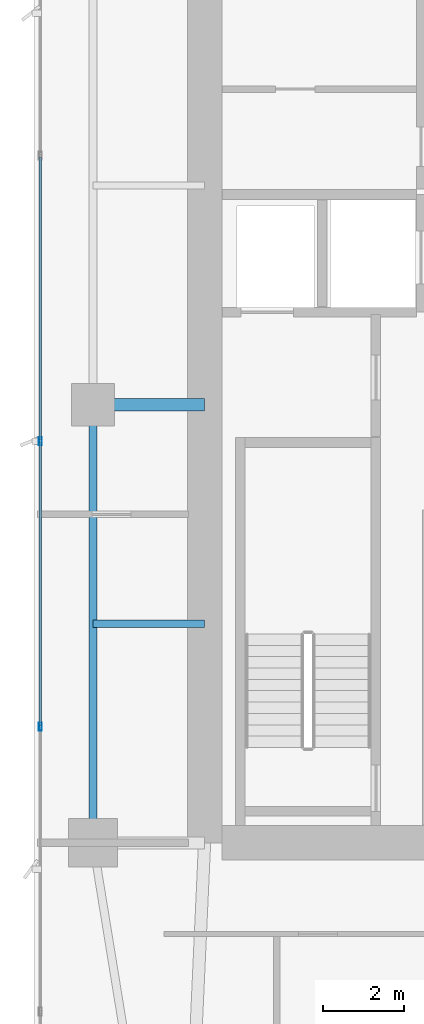
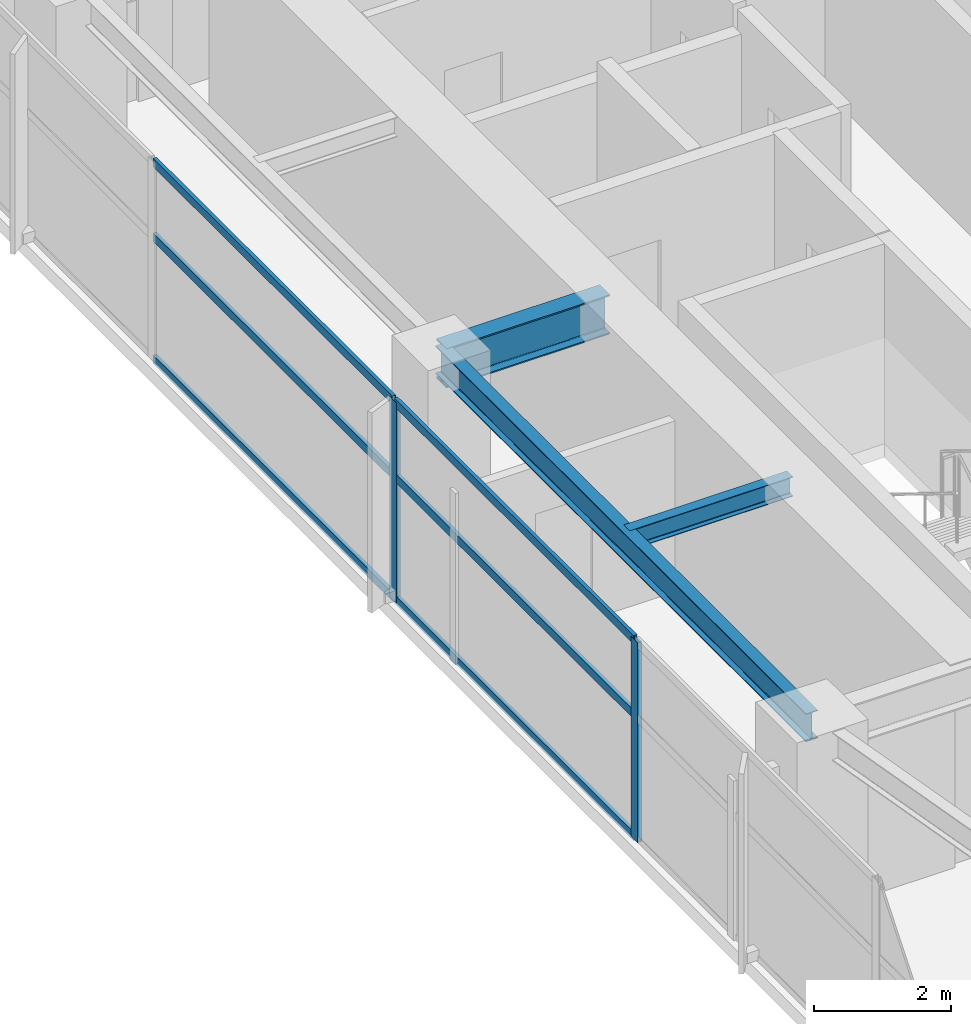
# One storey, part 8 of 28: 8 members, 3 beams, 1 element without a shape of its own.
"""IFC4 building model written with IfcOpenShell, lengths in metres."""

from ifc_helpers import new_model, si_unit, direction, frame, origin, origin_2d, place, context, subcontext, project, spatial, hollow_rectangle, i_section, extrude, material, layer, layer_set, material_profile, profile_set, type_object, element, aggregate, save


model = new_model("IFC4")

# Units and contexts
model_context = context("Model", 3, precision=1e-05, world=origin(), true_north=direction((0.0, 1.0)))
body_context = subcontext(model_context, "Body", "Model", "MODEL_VIEW")
ifc_project = project(units=[si_unit("LENGTHUNIT", "METRE"), si_unit("AREAUNIT", "SQUARE_METRE"), si_unit("VOLUMEUNIT", "CUBIC_METRE"), si_unit("PLANEANGLEUNIT", "RADIAN"), si_unit("MASSUNIT", "GRAM", prefix="KILO")], contexts=[model_context])

# Site, building, storey
site_placement = place(None, origin())
site = spatial("IfcSite", under=ifc_project, at=site_placement, CompositionType="ELEMENT")
building_placement = place(site_placement, origin())
building = spatial("IfcBuilding", under=site, at=building_placement, Name="Calvorn Quay Hotel", CompositionType="ELEMENT")
storey_placement = place(building_placement, frame((0.0, 0.0, 112.60009765625)))
storey = spatial("IfcBuildingStorey", under=building, at=storey_placement, Name="L27", CompositionType="ELEMENT", Elevation=112.60009765625)

# Beams
ifc_material_1 = material(Name="Steel Q390GJC", Category="steel")
ifc_material_profile_1 = material_profile(ifc_material_1, i_section(OverallWidth=0.300048828125, OverallDepth=0.699951171875, WebThickness=0.012939453125, FlangeThickness=0.02392578125, FilletRadius=0.02392578125, at=origin_2d()), Name="HN700x300x13x24")
ifc_profile_set_1 = profile_set([ifc_material_profile_1], Name="Steel Q390GJC")
beam_type_1 = type_object("IfcBeamType", Name="BM-GIRD-MAIN", PredefinedType="BEAM", material=ifc_profile_set_1)
beam_1_placement = place(storey_placement, frame((1.449951171875, 27.60009765625, 3.18994140625), z_axis=(1.0, 0.0, 0.0), x_axis=(0.0, 1.0, 0.0)))
element("IfcBeam", 1, at=beam_1_placement, inside=storey, type_object=beam_type_1, Name="Beam BG-L27-W2", PredefinedType="BEAM", context=body_context, shape_type="SweptSolid", body=[
    extrude(i_section(OverallWidth=0.300048828125, OverallDepth=0.699951171875, WebThickness=0.012939453125, FlangeThickness=0.02392578125, FilletRadius=0.02392578125, at=origin_2d()), origin(), (0.0, 0.0, 1.0), 2.75),
])
ifc_material_2 = material(Name="Steel Q355B", Category="steel")
ifc_material_profile_2 = material_profile(ifc_material_2, i_section(OverallWidth=0.175048828125, OverallDepth=0.35009765625, WebThickness=0.007080078125, FlangeThickness=0.010986328125, FilletRadius=0.013916015625, at=origin_2d()), Name="HN350x175x7x11")
ifc_profile_set_2 = profile_set([ifc_material_profile_2], Name="Steel Q355B")
beam_type_2 = type_object("IfcBeamType", Name="BM-JOIST-SEC", PredefinedType="JOIST", material=ifc_profile_set_2)
beam_2_placement = place(storey_placement, frame((1.449951171875, 22.199951171875, 3.364990234375), z_axis=(1.0, 0.0, 0.0), x_axis=(0.0, 1.0, 0.0)))
element("IfcBeam", 2, at=beam_2_placement, inside=storey, type_object=beam_type_2, Name="Beam BJ-L27-W3", PredefinedType="JOIST", context=body_context, shape_type="SweptSolid", body=[
    extrude(i_section(OverallWidth=0.175048828125, OverallDepth=0.35009765625, WebThickness=0.007080078125, FlangeThickness=0.010986328125, FilletRadius=0.013916015625, at=origin_2d()), origin(), (0.0, 0.0, 1.0), 2.75),
])
ifc_material_3 = material(Name="Steel Q355B", Category="steel")
ifc_material_profile_3 = material_profile(ifc_material_3, i_section(OverallWidth=0.199951171875, OverallDepth=0.5, WebThickness=0.010009765625, FlangeThickness=0.01611328125, FilletRadius=0.01611328125, at=origin_2d()), Name="HN500x200x10x16")
ifc_profile_set_3 = profile_set([ifc_material_profile_3], Name="Steel Q355B")
beam_type_3 = type_object("IfcBeamType", Name="BM-SPANDREL-Z1", PredefinedType="SPANDREL", material=ifc_profile_set_3)
beam_3_placement = place(storey_placement, frame((1.449951171875, 16.800048828125, 3.289794921875), z_axis=(0.0, 1.0, 0.0), x_axis=(-1.0, 0.0, 0.0)))
element("IfcBeam", 3, at=beam_3_placement, inside=storey, type_object=beam_type_3, Name="Beam BSP-L27-W2", PredefinedType="SPANDREL", context=body_context, shape_type="SweptSolid", body=[
    extrude(i_section(OverallWidth=0.199951171875, OverallDepth=0.5, WebThickness=0.010009765625, FlangeThickness=0.01611328125, FilletRadius=0.01611328125, at=origin_2d()), origin(), (0.0, 0.0, 1.0), 10.800048828125),
])

# Curtain wall, members
ifc_material_4 = material(Name="Pale Anodised Aluminium and Low-E Glass", Category="aluminium")
ifc_layer = layer(ifc_material_4, 0.219970703125)
ifc_layer_set = layer_set([ifc_layer], Name="CW-SYS-Z2")
curtain_wall_type = type_object("IfcCurtainWallType", Name="CW-SYS-Z2", PredefinedType="NOTDEFINED", material=ifc_layer_set)
curtain_wall_placement = place(storey_placement, origin())
curtain_wall = element("IfcCurtainWall", 4, at=curtain_wall_placement, inside=storey, type_object=curtain_wall_type, Name="Tower West Curtain Wall (L27)", PredefinedType="NOTDEFINED")
ifc_material_5 = material(Name="Pale Anodised Aluminium 6063-T6", Category="aluminium")
ifc_material_profile_4 = material_profile(ifc_material_5, hollow_rectangle(XDim=0.070068359375, YDim=0.199951171875, WallThickness=0.00390625, at=origin_2d()), Name="ALU-M200x70x4")
ifc_profile_set_4 = profile_set([ifc_material_profile_4], Name="Pale Anodised Aluminium 6063-T6")
member_type_1 = type_object("IfcMemberType", Name="CW-SYS-Z2-MUL", PredefinedType="MULLION", material=ifc_profile_set_4)
member_1_placement = place(storey_placement, frame((0.14990234375, 19.666748046875, 0.0), z_axis=(0.0, 0.0, 1.0), x_axis=(-1.0, 0.0, 0.0)))
member_1 = element("IfcMember", 5, at=member_1_placement, type_object=member_type_1, Name="CW-L27-W mullion 3", PredefinedType="MULLION", context=body_context, shape_type="SweptSolid", body=[
    extrude(hollow_rectangle(XDim=0.070068359375, YDim=0.199951171875, WallThickness=0.00390625, at=origin_2d()), origin(), (0.0, 0.0, 1.0), 3.559814453125),
])
member_2_placement = place(storey_placement, frame((0.14990234375, 26.699951171875, 0.0), z_axis=(0.0, 0.0, 1.0), x_axis=(-1.0, 0.0, 0.0)))
member_2 = element("IfcMember", 6, at=member_2_placement, type_object=member_type_1, Name="CW-L27-W mullion 4", PredefinedType="MULLION", context=body_context, shape_type="SweptSolid", body=[
    extrude(hollow_rectangle(XDim=0.070068359375, YDim=0.199951171875, WallThickness=0.00390625, at=origin_2d()), origin(), (0.0, 0.0, 1.0), 3.559814453125),
])
ifc_material_6 = material(Name="Pale Anodised Aluminium 6063-T6", Category="aluminium")
ifc_material_profile_5 = material_profile(ifc_material_6, hollow_rectangle(XDim=0.06005859375, YDim=0.14990234375, WallThickness=0.00341796875, at=origin_2d()), Name="ALU-T150x60x3.5")
ifc_profile_set_5 = profile_set([ifc_material_profile_5], Name="Pale Anodised Aluminium 6063-T6")
member_type_2 = type_object("IfcMemberType", Name="CW-SYS-Z2-TRN", PredefinedType="USERDEFINED", material=ifc_profile_set_5)
member_3_placement = place(storey_placement, frame((0.14990234375, 19.69677734375, 0.02978515625), z_axis=(0.0, 1.0, 0.0), x_axis=(-1.0, 0.0, 0.0)))
member_3 = element("IfcMember", 7, at=member_3_placement, type_object=member_type_2, Name="CW-L27-W transom 3.1", ObjectType="TRANSOM", PredefinedType="USERDEFINED", context=body_context, shape_type="SweptSolid", body=[
    extrude(hollow_rectangle(XDim=0.06005859375, YDim=0.14990234375, WallThickness=0.00341796875, at=origin_2d()), origin(), (0.0, 0.0, 1.0), 6.97314453125),
])
member_4_placement = place(storey_placement, frame((0.14990234375, 19.69677734375, 2.199951171875), z_axis=(0.0, 1.0, 0.0), x_axis=(-1.0, 0.0, 0.0)))
member_4 = element("IfcMember", 8, at=member_4_placement, type_object=member_type_2, Name="CW-L27-W transom 3.2", ObjectType="TRANSOM", PredefinedType="USERDEFINED", context=body_context, shape_type="SweptSolid", body=[
    extrude(hollow_rectangle(XDim=0.06005859375, YDim=0.14990234375, WallThickness=0.00341796875, at=origin_2d()), origin(), (0.0, 0.0, 1.0), 6.97314453125),
])
member_5_placement = place(storey_placement, frame((0.14990234375, 19.69677734375, 3.52978515625), z_axis=(0.0, 1.0, 0.0), x_axis=(-1.0, 0.0, 0.0)))
member_5 = element("IfcMember", 9, at=member_5_placement, type_object=member_type_2, Name="CW-L27-W transom 3.3", ObjectType="TRANSOM", PredefinedType="USERDEFINED", context=body_context, shape_type="SweptSolid", body=[
    extrude(hollow_rectangle(XDim=0.06005859375, YDim=0.14990234375, WallThickness=0.00341796875, at=origin_2d()), origin(), (0.0, 0.0, 1.0), 6.97314453125),
])
member_6_placement = place(storey_placement, frame((0.14990234375, 26.72998046875, 0.02978515625), z_axis=(0.0, 1.0, 0.0), x_axis=(-1.0, 0.0, 0.0)))
member_6 = element("IfcMember", 10, at=member_6_placement, type_object=member_type_2, Name="CW-L27-W transom 4.1", ObjectType="TRANSOM", PredefinedType="USERDEFINED", context=body_context, shape_type="SweptSolid", body=[
    extrude(hollow_rectangle(XDim=0.06005859375, YDim=0.14990234375, WallThickness=0.00341796875, at=origin_2d()), origin(), (0.0, 0.0, 1.0), 6.973388671875),
])
member_7_placement = place(storey_placement, frame((0.14990234375, 26.72998046875, 2.199951171875), z_axis=(0.0, 1.0, 0.0), x_axis=(-1.0, 0.0, 0.0)))
member_7 = element("IfcMember", 11, at=member_7_placement, type_object=member_type_2, Name="CW-L27-W transom 4.2", ObjectType="TRANSOM", PredefinedType="USERDEFINED", context=body_context, shape_type="SweptSolid", body=[
    extrude(hollow_rectangle(XDim=0.06005859375, YDim=0.14990234375, WallThickness=0.00341796875, at=origin_2d()), origin(), (0.0, 0.0, 1.0), 6.973388671875),
])
member_8_placement = place(storey_placement, frame((0.14990234375, 26.72998046875, 3.52978515625), z_axis=(0.0, 1.0, 0.0), x_axis=(-1.0, 0.0, 0.0)))
member_8 = element("IfcMember", 12, at=member_8_placement, type_object=member_type_2, Name="CW-L27-W transom 4.3", ObjectType="TRANSOM", PredefinedType="USERDEFINED", context=body_context, shape_type="SweptSolid", body=[
    extrude(hollow_rectangle(XDim=0.06005859375, YDim=0.14990234375, WallThickness=0.00341796875, at=origin_2d()), origin(), (0.0, 0.0, 1.0), 6.973388671875),
])
aggregate(curtain_wall, [member_1, member_2, member_3, member_4, member_5, member_6, member_7, member_8])

save(model, "model.ifc")
